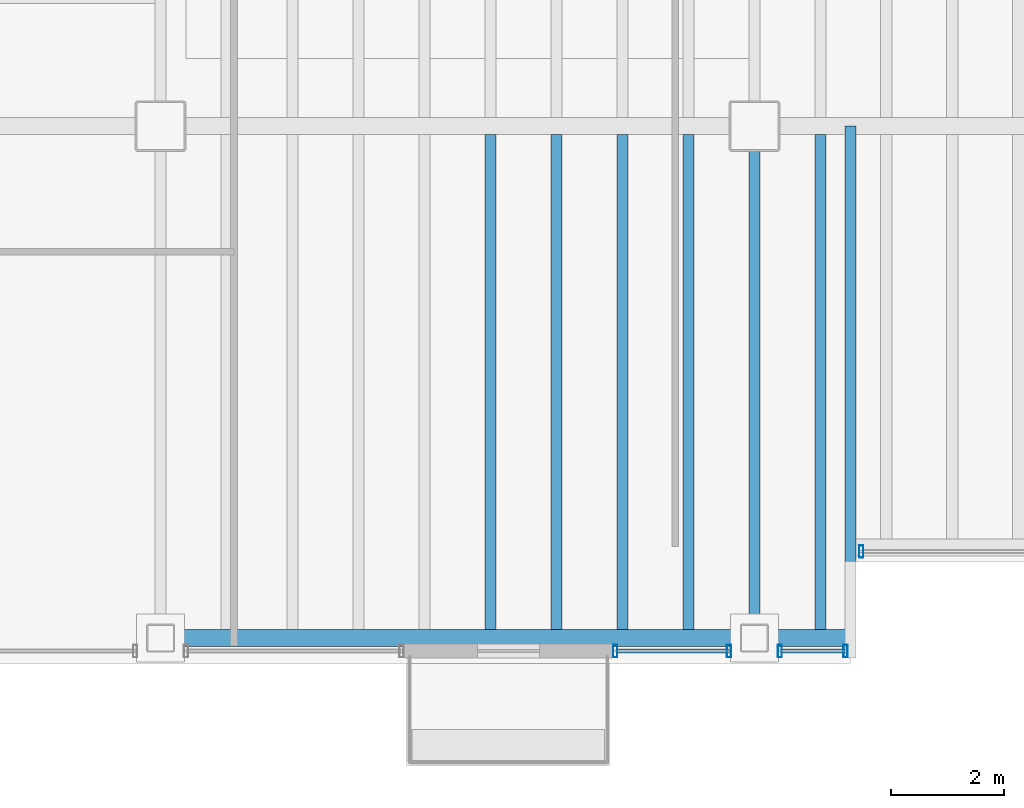
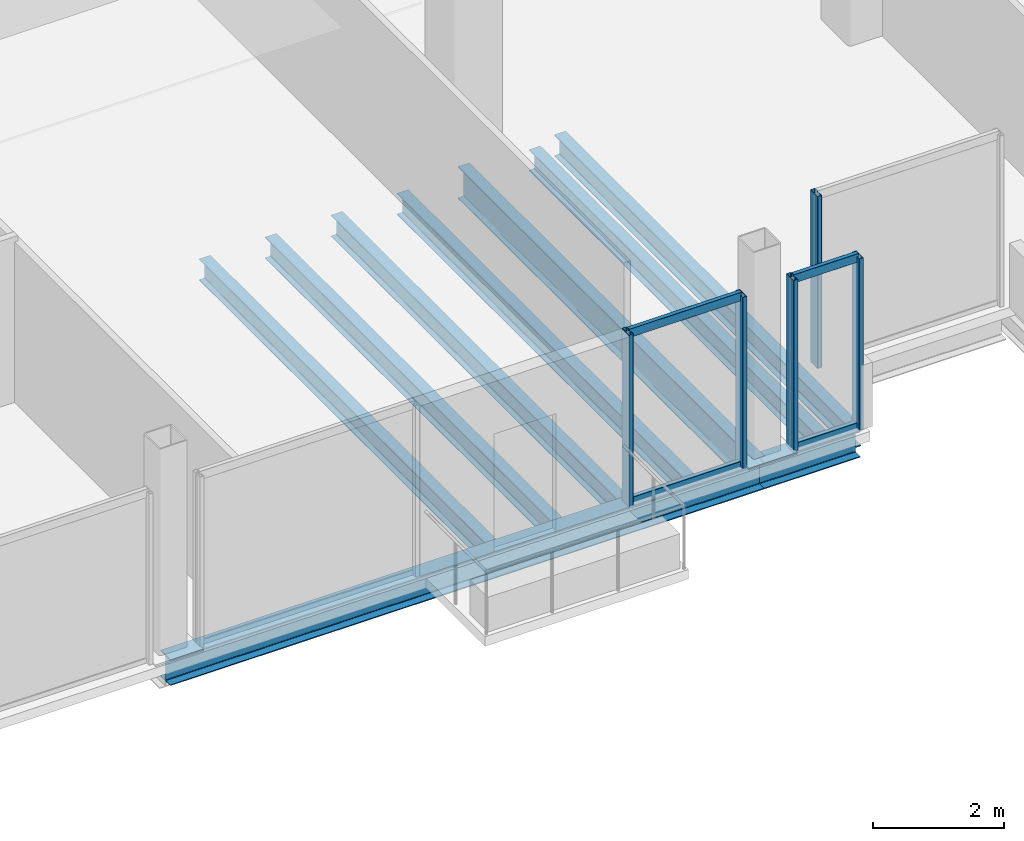
# One storey, part 4 of 20: 9 beams, 9 members, 3 elements without a shape of their own.
"""IFC4 building model written with IfcOpenShell, lengths in metres."""

import ifcopenshell
import ifcopenshell.guid

model = None  # the IFC model being written
_history = None  # IfcOwnerHistory: only IFC2X3 demands one
_inside = {}  # id of a spatial element -> (the spatial element, [elements in it])
_under = {}  # id of a project, library or spatial element -> (it, [spatial elements below it])
_declared = {}  # id of a project -> (the project, [libraries it declares])
_typed = {}  # id of a type object -> (the type object, [elements of that type])
_made_of = {}  # id of a material, layer set ... -> (it, [elements and type objects made of it])


def new_model(schema):
    """Start an empty IFC model of exactly this schema.

    Asked for "IFC4X3", IfcOpenShell would pick the latest addendum, in which some entities
    have other attributes; the version numbers below select the first issue.
    IFC2X3 requires an IfcOwnerHistory on every rooted entity: one is made here for all.
    """
    global model, _history
    if schema == "IFC4X3":
        model = ifcopenshell.file(schema_version=(4, 3, 0, 0))
    else:
        model = ifcopenshell.file(schema=schema)
    _inside.clear()
    _under.clear()
    _declared.clear()
    _typed.clear()
    _made_of.clear()
    _history = None
    if model.schema == "IFC2X3":
        org = make("IfcOrganization", Name="unknown")
        user = make(
            "IfcPersonAndOrganization",
            ThePerson=make("IfcPerson", FamilyName="unknown"),
            TheOrganization=org,
        )
        app = make(
            "IfcApplication",
            ApplicationDeveloper=org,
            Version="unknown",
            ApplicationFullName="unknown",
            ApplicationIdentifier="unknown",
        )
        _history = make(
            "IfcOwnerHistory",
            OwningUser=user,
            OwningApplication=app,
            ChangeAction="ADDED",
            CreationDate=0,
        )
    return model


def make(cls, **values):
    """One entity of the class cls with the attributes given. An attribute that is None is left unset."""
    return model.create_entity(
        cls, **{name: value for name, value in values.items() if value is not None}
    )


def rooted(cls, **values):
    """An entity with a GlobalId (a new one), such as an element, a storey or a relation."""
    return make(cls, GlobalId=ifcopenshell.guid.new(), OwnerHistory=_history, **values)


def si_unit(unit_type, name, prefix=None):
    """IfcSIUnit, for example si_unit("LENGTHUNIT", "METRE", prefix="MILLI")."""
    return make("IfcSIUnit", UnitType=unit_type, Prefix=prefix, Name=name)


def assignment(units):
    """IfcUnitAssignment: the units of a project."""
    return None if units is None else make("IfcUnitAssignment", Units=units)


def point(xyz):
    """IfcCartesianPoint."""
    return None if xyz is None else make("IfcCartesianPoint", Coordinates=xyz)


def direction(xyz):
    """IfcDirection."""
    return None if xyz is None else make("IfcDirection", DirectionRatios=xyz)


def frame(location, z_axis=None, x_axis=None):
    """IfcAxis2Placement3D, a coordinate frame: its origin and axes. An axis left out is left unset."""
    return make(
        "IfcAxis2Placement3D",
        Location=point(location),
        Axis=direction(z_axis),
        RefDirection=direction(x_axis),
    )


def frame_2d(location, x_axis=None):
    """IfcAxis2Placement2D, a coordinate frame in the plane: its origin and x axis."""
    return make(
        "IfcAxis2Placement2D", Location=point(location), RefDirection=direction(x_axis)
    )


def origin():
    """The frame at (0, 0, 0) with its axes left unset."""
    return frame((0.0, 0.0, 0.0))


def origin_2d():
    """The frame at (0, 0) in the plane with its x axis left unset."""
    return frame_2d((0.0, 0.0))


def place(relative_to, where):
    """IfcLocalPlacement: puts the frame where relative to a parent placement (None: the world)."""
    return make(
        "IfcLocalPlacement", PlacementRelTo=relative_to, RelativePlacement=where
    )


def context(
    kind, dimensions, precision=None, world=None, true_north=None, identifier=None
):
    """IfcGeometricRepresentationContext, for example the 3D "Model" context."""
    return make(
        "IfcGeometricRepresentationContext",
        ContextIdentifier=identifier,
        ContextType=kind,
        CoordinateSpaceDimension=dimensions,
        Precision=precision,
        WorldCoordinateSystem=world,
        TrueNorth=true_north,
    )


def subcontext(parent, identifier, kind, view, scale=None):
    """IfcGeometricRepresentationSubContext, for example "Body" below "Model"."""
    return make(
        "IfcGeometricRepresentationSubContext",
        ContextIdentifier=identifier,
        ContextType=kind,
        ParentContext=parent,
        TargetScale=scale,
        TargetView=view,
    )


def project(units=None, contexts=None):
    """IfcProject with its units and contexts."""
    return rooted(
        "IfcProject",
        Name="project",
        RepresentationContexts=contexts,
        UnitsInContext=assignment(units),
    )


def spatial(cls, under=None, at=None, **own):
    """A site, building, storey or space (cls), placed at a placement, below another one or the project."""
    s = rooted(cls, ObjectPlacement=at, **own)
    if under is not None:
        _under.setdefault(under.id(), (under, []))[1].append(s)
    return s


def profile(cls, at=None, kind="AREA", **sizes):
    """A parametric profile (cls). Its sizes go by their IFC names, for example OverallWidth=200.0."""
    return make(cls, ProfileType=kind, Position=at, **sizes)


def hollow_rectangle(**sizes):
    """IfcRectangleHollowProfileDef."""
    return profile("IfcRectangleHollowProfileDef", **sizes)


def i_section(**sizes):
    """IfcIShapeProfileDef."""
    return profile("IfcIShapeProfileDef", **sizes)


def extrude(swept, where, along, depth):
    """IfcExtrudedAreaSolid: the profile swept, set in the frame where, extruded along a direction by depth."""
    return make(
        "IfcExtrudedAreaSolid",
        SweptArea=swept,
        Position=where,
        ExtrudedDirection=direction(along),
        Depth=depth,
    )


def shape(context_of_items, identifier, shape_type, items):
    """IfcShapeRepresentation: the items that make up one representation, for example the "Body"."""
    return make(
        "IfcShapeRepresentation",
        ContextOfItems=context_of_items,
        RepresentationIdentifier=identifier,
        RepresentationType=shape_type,
        Items=items,
    )


def material(Name=None, Category=None):
    """IfcMaterial."""
    return make("IfcMaterial", Name=Name, Category=Category)


def material_profile(
    of_material, cross_section, Name=None, Category=None, Priority=None
):
    """IfcMaterialProfile: a cross section and its material."""
    return make(
        "IfcMaterialProfile",
        Name=Name,
        Material=of_material,
        Profile=cross_section,
        Priority=Priority,
        Category=Category,
    )


def profile_set(profiles, Name=None, composite=None):
    """IfcMaterialProfileSet."""
    return make(
        "IfcMaterialProfileSet",
        Name=Name,
        MaterialProfiles=profiles,
        CompositeProfile=composite,
    )


def made_of(thing, what):
    """Note that an element or type object is made of a material, layer set ...; save() writes the relation."""
    if what is not None:
        _made_of.setdefault(what.id(), (what, []))[1].append(thing)
    return thing


def type_object(cls, material=None, **own):
    """A type object (cls), such as IfcWallType, which elements share."""
    return made_of(rooted(cls, **own), material)


def element(
    cls,
    number,
    at=None,
    inside=None,
    cuts=None,
    type_object=None,
    material=None,
    context=None,
    identifier="Body",
    shape_type=None,
    held_by="IfcProductDefinitionShape",
    body=None,
    shapes=None,
    **own,
):
    """One element of the class cls, such as IfcWall. Its Tag is "e" and its number.

    at: its placement. inside: the storey or other place that contains it. cuts: it is an
    opening in that element (IfcRelVoidsElement). A single representation is given by context,
    identifier, shape_type and body (its items); several are given by shapes. held_by: the class
    of the entity that holds the representations. save() writes the other relations.
    """
    e = rooted(cls, Tag="e%d" % number, ObjectPlacement=at, **own)
    if body is not None:
        shapes = [shape(context, identifier, shape_type, body)]
    if shapes is not None:
        e.Representation = make(held_by, Representations=shapes)
    if inside is not None:
        _inside.setdefault(inside.id(), (inside, []))[1].append(e)
    if cuts is not None:
        rooted(
            "IfcRelVoidsElement", RelatingBuildingElement=cuts, RelatedOpeningElement=e
        )
    if type_object is not None:
        _typed.setdefault(type_object.id(), (type_object, []))[1].append(e)
    return made_of(e, material)


def aggregate(whole, parts):
    """IfcRelAggregates: a whole, such as a stair, and the parts it consists of."""
    return rooted("IfcRelAggregates", RelatingObject=whole, RelatedObjects=parts)


def save(model, path):
    """Write the relations noted so far, then the file.

    IfcRelAggregates (storeys below a building ...), IfcRelContainedInSpatialStructure (elements
    in a storey), IfcRelDefinesByType, IfcRelAssociatesMaterial and IfcRelDeclares: one each for
    every whole, place, type object, material and project.
    """
    for whole, parts in _under.values():
        aggregate(whole, parts)
    for where, things in _inside.values():
        rooted(
            "IfcRelContainedInSpatialStructure",
            RelatedElements=things,
            RelatingStructure=where,
        )
    for kind, things in _typed.values():
        rooted("IfcRelDefinesByType", RelatedObjects=things, RelatingType=kind)
    for what, things in _made_of.values():
        rooted("IfcRelAssociatesMaterial", RelatedObjects=things, RelatingMaterial=what)
    for by, libraries in _declared.values():
        rooted("IfcRelDeclares", RelatingContext=by, RelatedDefinitions=libraries)
    model.write(path)


model = new_model("IFC4")

# Units and contexts
model_context = context("Model", 3, precision=1e-05, world=origin(), true_north=direction((0.0, 1.0)))
body_context = subcontext(model_context, "Body", "Model", "MODEL_VIEW")
ifc_project = project(units=[si_unit("LENGTHUNIT", "METRE"), si_unit("AREAUNIT", "SQUARE_METRE"), si_unit("VOLUMEUNIT", "CUBIC_METRE"), si_unit("PLANEANGLEUNIT", "RADIAN"), si_unit("MASSUNIT", "GRAM", prefix="KILO")], contexts=[model_context])

# Site, building, storey
site_placement = place(None, origin())
site = spatial("IfcSite", under=ifc_project, at=site_placement, CompositionType="ELEMENT")
building_placement = place(site_placement, origin())
building = spatial("IfcBuilding", under=site, at=building_placement, Name="Noeulbin Bourse Tower", CompositionType="ELEMENT")
storey_placement = place(building_placement, frame((0.0, 0.0, 126.60009765625)))
storey = spatial("IfcBuildingStorey", under=building, at=storey_placement, Name="L31", CompositionType="ELEMENT", Elevation=126.60009765625)

# Beams
ifc_material_1 = material(Name="Steel S355", Category="steel")
ifc_material_profile_1 = material_profile(ifc_material_1, i_section(OverallWidth=0.199951171875, OverallDepth=0.60009765625, WebThickness=0.010986328125, FlangeThickness=0.01708984375, FilletRadius=0.02197265625, at=origin_2d()), Name="H-600x200x11x17", Category="LoadBearing")
ifc_profile_set_1 = profile_set([ifc_material_profile_1], Name="Steel S355")
beam_type_1 = type_object("IfcBeamType", Name="BM-GRD-600", PredefinedType="USERDEFINED", material=ifc_profile_set_1)
beam_1_placement = place(storey_placement, frame((24.0, 10.949951171875, -0.47998046875), z_axis=(0.0, 1.0, 0.0), x_axis=(-1.0, 0.0, 0.0)))
element("IfcBeam", 1, at=beam_1_placement, inside=storey, type_object=beam_type_1, Name="Tower Primary Girder NS L31-2.1", ObjectType="GIRDER", PredefinedType="USERDEFINED", context=body_context, shape_type="SweptSolid", body=[
    extrude(i_section(OverallWidth=0.199951171875, OverallDepth=0.60009765625, WebThickness=0.010986328125, FlangeThickness=0.01708984375, FilletRadius=0.02197265625, at=origin_2d()), origin(), (0.0, 0.0, 1.0), 9.050048828125),
])
ifc_material_profile_2 = material_profile(ifc_material_1, i_section(OverallWidth=0.199951171875, OverallDepth=0.39990234375, WebThickness=0.008056640625, FlangeThickness=0.012939453125, FilletRadius=0.01611328125, at=origin_2d()), Name="H-400x200x8x13", Category="LoadBearing")
ifc_profile_set_2 = profile_set([ifc_material_profile_2], Name="Steel S355")
beam_type_2 = type_object("IfcBeamType", Name="BM-SEC-400", PredefinedType="BEAM", material=ifc_profile_set_2)
beam_2_placement = place(storey_placement, frame((25.699951171875, 10.949951171875, -0.380126953125), z_axis=(0.0, 1.0, 0.0), x_axis=(-1.0, 0.0, 0.0)))
element("IfcBeam", 2, at=beam_2_placement, inside=storey, type_object=beam_type_2, Name="BM-L31-SRT-W", PredefinedType="BEAM", context=body_context, shape_type="SweptSolid", body=[
    extrude(i_section(OverallWidth=0.199951171875, OverallDepth=0.39990234375, WebThickness=0.008056640625, FlangeThickness=0.012939453125, FilletRadius=0.01611328125, at=origin_2d()), origin(), (0.0, 0.0, 1.0), 9.050048828125),
])
for number, where, z_axis, x_axis, name in (
    (3, (19.333251953125, 11.10009765625, -0.380126953125), (0.0, 1.0, 0.0), (-1.0, 0.0, 0.0), "Tower Composite Joist L31-09"),
    (4, (20.5, 11.10009765625, -0.380126953125), (0.0, 1.0, 0.0), (-1.0, 0.0, 0.0), "Tower Composite Joist L31-11"),
    (5, (21.666748046875, 11.10009765625, -0.380126953125), (0.0, 1.0, 0.0), (-1.0, 0.0, 0.0), "Tower Composite Joist L31-13"),
    (6, (22.833251953125, 11.10009765625, -0.380126953125), (0.0, 1.0, 0.0), (-1.0, 0.0, 0.0), "Tower Composite Joist L31-15"),
    (7, (25.166748046875, 11.10009765625, -0.380126953125), (0.0, 1.0, 0.0), (-1.0, 0.0, 0.0), "Tower Composite Joist L31-17"),
):
    element("IfcBeam", number, at=place(storey_placement, frame(where, z_axis=z_axis, x_axis=x_axis)), inside=storey, type_object=beam_type_2, Name=name, PredefinedType="BEAM", context=body_context, shape_type="SweptSolid", body=[
        extrude(i_section(OverallWidth=0.199951171875, OverallDepth=0.39990234375, WebThickness=0.008056640625, FlangeThickness=0.012939453125, FilletRadius=0.01611328125, at=origin_2d()), origin(), (0.0, 0.0, 1.0), 8.75),
    ])
ifc_material_profile_3 = material_profile(ifc_material_1, i_section(OverallWidth=0.300048828125, OverallDepth=0.488037109375, WebThickness=0.010986328125, FlangeThickness=0.01806640625, FilletRadius=0.02197265625, at=origin_2d()), Name="H-488x300x11x18", Category="LoadBearing")
ifc_profile_set_3 = profile_set([ifc_material_profile_3], Name="Steel S355")
beam_type_3 = type_object("IfcBeamType", Name="BM-SPN-488", PredefinedType="SPANDREL", material=ifc_profile_set_3)
beam_3_placement = place(storey_placement, frame((13.5, 10.949951171875, -0.424072265625), z_axis=(1.0, 0.0, 0.0), x_axis=(0.0, 1.0, 0.0)))
element("IfcBeam", 8, at=beam_3_placement, inside=storey, type_object=beam_type_3, Name="South Spandrel L31-1", PredefinedType="SPANDREL", context=body_context, shape_type="SweptSolid", body=[
    extrude(i_section(OverallWidth=0.300048828125, OverallDepth=0.488037109375, WebThickness=0.010986328125, FlangeThickness=0.01806640625, FilletRadius=0.02197265625, at=origin_2d()), origin(), (0.0, 0.0, 1.0), 10.5),
])
beam_4_placement = place(storey_placement, frame((24.0, 10.949951171875, -0.424072265625), z_axis=(1.0, 0.0, 0.0), x_axis=(0.0, 1.0, 0.0)))
element("IfcBeam", 9, at=beam_4_placement, inside=storey, type_object=beam_type_3, Name="South Spandrel L31-2A", PredefinedType="SPANDREL", context=body_context, shape_type="SweptSolid", body=[
    extrude(i_section(OverallWidth=0.300048828125, OverallDepth=0.488037109375, WebThickness=0.010986328125, FlangeThickness=0.01806640625, FilletRadius=0.02197265625, at=origin_2d()), origin(), (0.0, 0.0, 1.0), 1.699951171875),
])

# Curtain wall, member
ifc_material_2 = material(Name="Dark Tinted Triple Glazing", Category="glass")
curtain_wall_type = type_object("IfcCurtainWallType", Name="CW-SYS-3", PredefinedType="NOTDEFINED", material=ifc_material_2)
curtain_wall_1_placement = place(storey_placement, origin())
curtain_wall_1 = element("IfcCurtainWall", 10, at=curtain_wall_1_placement, inside=storey, type_object=curtain_wall_type, Name="Unitised Curtain Wall CW-L31-SREC", PredefinedType="NOTDEFINED")
ifc_material_3 = material(Name="Anodised Aluminium 6063-T6", Category="aluminium")
ifc_material_profile_4 = material_profile(ifc_material_3, hollow_rectangle(XDim=0.074951171875, YDim=0.219970703125, WallThickness=0.0048828125, InnerFilletRadius=0.00244140625, OuterFilletRadius=0.0048828125, at=origin_2d()), Name="ALU-MULL-75x220x5", Category="LoadBearing")
ifc_profile_set_4 = profile_set([ifc_material_profile_4], Name="Anodised Aluminium 6063-T6")
member_type_1 = type_object("IfcMemberType", Name="CW-SYS-3-MUL", PredefinedType="MULLION", material=ifc_profile_set_4)
member_1_placement = place(storey_placement, frame((25.889892578125, 12.47998046875, -0.02001953125), z_axis=(0.0, 0.0, 1.0), x_axis=(1.0, 0.0, 0.0)))
member_1 = element("IfcMember", 11, at=member_1_placement, type_object=member_type_1, Name="Curtain Wall Mullion CW-L31-SREC-M00", PredefinedType="MULLION", context=body_context, shape_type="SweptSolid", body=[
    extrude(hollow_rectangle(XDim=0.074951171875, YDim=0.219970703125, WallThickness=0.0048828125, InnerFilletRadius=0.00244140625, OuterFilletRadius=0.0048828125, at=origin_2d()), origin(), (0.0, 0.0, 1.0), 3.219970703125),
])
aggregate(curtain_wall_1, [member_1])

# Curtain wall, members
curtain_wall_2_placement = place(storey_placement, origin())
curtain_wall_2 = element("IfcCurtainWall", 12, at=curtain_wall_2_placement, inside=storey, type_object=curtain_wall_type, Name="Unitised Curtain Wall CW-L31-S2-S1", PredefinedType="NOTDEFINED")
member_2_placement = place(storey_placement, frame((21.5400390625, 10.719970703125, -0.02001953125), z_axis=(0.0, 0.0, 1.0), x_axis=(1.0, 0.0, 0.0)))
member_2 = element("IfcMember", 13, at=member_2_placement, type_object=member_type_1, Name="Curtain Wall Mullion CW-L31-S2-S1-M00", PredefinedType="MULLION", context=body_context, shape_type="SweptSolid", body=[
    extrude(hollow_rectangle(XDim=0.074951171875, YDim=0.219970703125, WallThickness=0.0048828125, InnerFilletRadius=0.00244140625, OuterFilletRadius=0.0048828125, at=origin_2d()), origin(), (0.0, 0.0, 1.0), 3.219970703125),
])
member_3_placement = place(storey_placement, frame((23.550048828125, 10.719970703125, -0.02001953125), z_axis=(0.0, 0.0, 1.0), x_axis=(1.0, 0.0, 0.0)))
member_3 = element("IfcMember", 14, at=member_3_placement, type_object=member_type_1, Name="Curtain Wall Mullion CW-L31-S2-S1-M01", PredefinedType="MULLION", context=body_context, shape_type="SweptSolid", body=[
    extrude(hollow_rectangle(XDim=0.074951171875, YDim=0.219970703125, WallThickness=0.0048828125, InnerFilletRadius=0.00244140625, OuterFilletRadius=0.0048828125, at=origin_2d()), origin(), (0.0, 0.0, 1.0), 3.219970703125),
])

curtain_wall_3_placement = place(storey_placement, origin())
curtain_wall_3 = element("IfcCurtainWall", 15, at=curtain_wall_3_placement, inside=storey, type_object=curtain_wall_type, Name="Unitised Curtain Wall CW-L31-S2-S2", PredefinedType="NOTDEFINED")
member_4_placement = place(storey_placement, frame((24.449951171875, 10.719970703125, -0.02001953125), z_axis=(0.0, 0.0, 1.0), x_axis=(1.0, 0.0, 0.0)))
member_4 = element("IfcMember", 16, at=member_4_placement, type_object=member_type_1, Name="Curtain Wall Mullion CW-L31-S2-S2-M00", PredefinedType="MULLION", context=body_context, shape_type="SweptSolid", body=[
    extrude(hollow_rectangle(XDim=0.074951171875, YDim=0.219970703125, WallThickness=0.0048828125, InnerFilletRadius=0.00244140625, OuterFilletRadius=0.0048828125, at=origin_2d()), origin(), (0.0, 0.0, 1.0), 3.219970703125),
])
member_5_placement = place(storey_placement, frame((25.610107421875, 10.719970703125, -0.02001953125), z_axis=(0.0, 0.0, 1.0), x_axis=(1.0, 0.0, 0.0)))
member_5 = element("IfcMember", 17, at=member_5_placement, type_object=member_type_1, Name="Curtain Wall Mullion CW-L31-S2-S2-M01", PredefinedType="MULLION", context=body_context, shape_type="SweptSolid", body=[
    extrude(hollow_rectangle(XDim=0.074951171875, YDim=0.219970703125, WallThickness=0.0048828125, InnerFilletRadius=0.00244140625, OuterFilletRadius=0.0048828125, at=origin_2d()), origin(), (0.0, 0.0, 1.0), 3.219970703125),
])

# Member
ifc_material_profile_5 = material_profile(ifc_material_3, hollow_rectangle(XDim=0.074951171875, YDim=0.159912109375, WallThickness=0.0048828125, InnerFilletRadius=0.00244140625, OuterFilletRadius=0.0048828125, at=origin_2d()), Name="ALU-TRAN-75x160x5", Category="LoadBearing")
ifc_profile_set_5 = profile_set([ifc_material_profile_5], Name="Anodised Aluminium 6063-T6")
member_type_2 = type_object("IfcMemberType", Name="CW-SYS-3-TRN", PredefinedType="USERDEFINED", material=ifc_profile_set_5)
member_6_placement = place(storey_placement, frame((21.550048828125, 10.719970703125, 0.010009765625), z_axis=(1.0, 0.0, 0.0), x_axis=(0.0, 1.0, 0.0)))
member_6 = element("IfcMember", 18, at=member_6_placement, type_object=member_type_2, Name="Curtain Wall Transom CW-L31-S2-S1-T00", ObjectType="TRANSOM", PredefinedType="USERDEFINED", context=body_context, shape_type="SweptSolid", body=[
    extrude(hollow_rectangle(XDim=0.074951171875, YDim=0.159912109375, WallThickness=0.0048828125, InnerFilletRadius=0.00244140625, OuterFilletRadius=0.0048828125, at=origin_2d()), origin(), (0.0, 0.0, 1.0), 1.989990234375),
])

member_7_placement = place(storey_placement, frame((21.550048828125, 10.719970703125, 3.169921875), z_axis=(1.0, 0.0, 0.0), x_axis=(0.0, 1.0, 0.0)))
member_7 = element("IfcMember", 19, at=member_7_placement, type_object=member_type_2, Name="Curtain Wall Transom CW-L31-S2-S1-T01", ObjectType="TRANSOM", PredefinedType="USERDEFINED", context=body_context, shape_type="SweptSolid", body=[
    extrude(hollow_rectangle(XDim=0.074951171875, YDim=0.159912109375, WallThickness=0.0048828125, InnerFilletRadius=0.00244140625, OuterFilletRadius=0.0048828125, at=origin_2d()), origin(), (0.0, 0.0, 1.0), 1.989990234375),
])

aggregate(curtain_wall_2, [member_2, member_3, member_6, member_7])

member_8_placement = place(storey_placement, frame((24.4599609375, 10.719970703125, 0.010009765625), z_axis=(1.0, 0.0, 0.0), x_axis=(0.0, 1.0, 0.0)))
member_8 = element("IfcMember", 20, at=member_8_placement, type_object=member_type_2, Name="Curtain Wall Transom CW-L31-S2-S2-T00", ObjectType="TRANSOM", PredefinedType="USERDEFINED", context=body_context, shape_type="SweptSolid", body=[
    extrude(hollow_rectangle(XDim=0.074951171875, YDim=0.159912109375, WallThickness=0.0048828125, InnerFilletRadius=0.00244140625, OuterFilletRadius=0.0048828125, at=origin_2d()), origin(), (0.0, 0.0, 1.0), 1.14013671875),
])

member_9_placement = place(storey_placement, frame((24.4599609375, 10.719970703125, 3.169921875), z_axis=(1.0, 0.0, 0.0), x_axis=(0.0, 1.0, 0.0)))
member_9 = element("IfcMember", 21, at=member_9_placement, type_object=member_type_2, Name="Curtain Wall Transom CW-L31-S2-S2-T01", ObjectType="TRANSOM", PredefinedType="USERDEFINED", context=body_context, shape_type="SweptSolid", body=[
    extrude(hollow_rectangle(XDim=0.074951171875, YDim=0.159912109375, WallThickness=0.0048828125, InnerFilletRadius=0.00244140625, OuterFilletRadius=0.0048828125, at=origin_2d()), origin(), (0.0, 0.0, 1.0), 1.14013671875),
])

aggregate(curtain_wall_3, [member_4, member_5, member_8, member_9])

save(model, "model.ifc")
